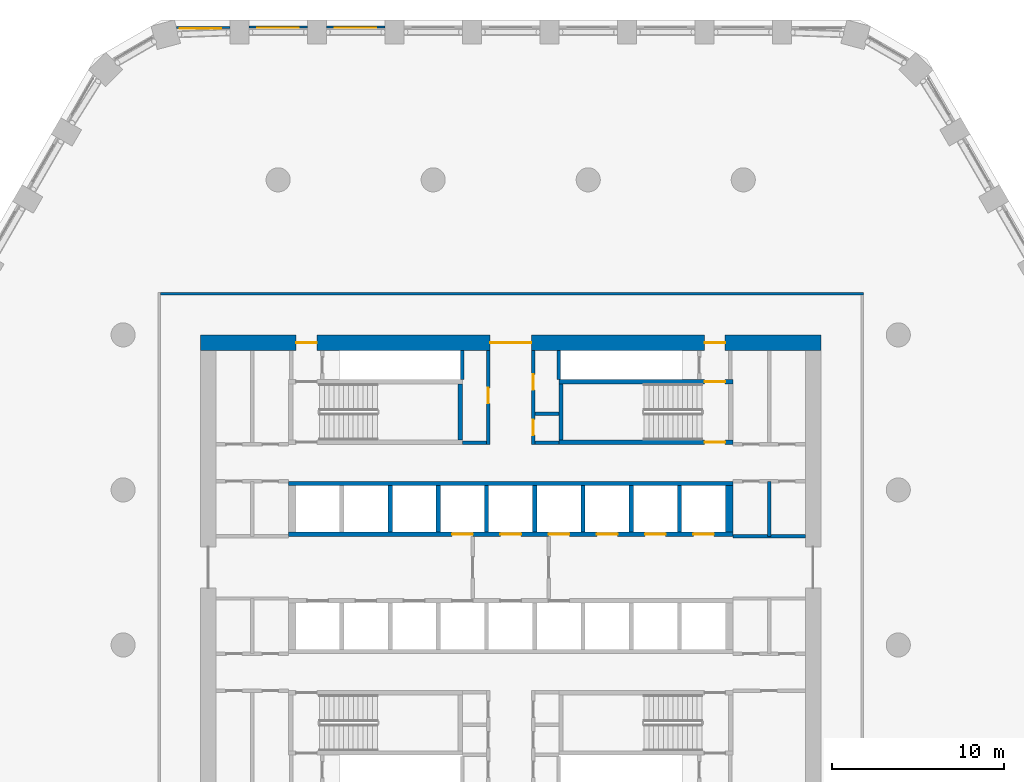
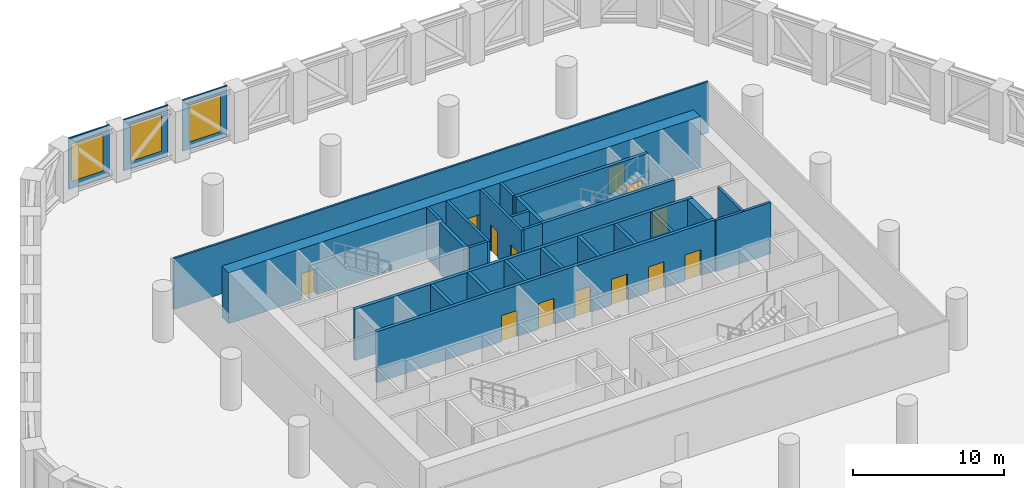
# One storey, part 7 of 18: 28 walls, 14 doors, 3 windows, 17 openings.
"""IFC4 building model written with IfcOpenShell, lengths in metres."""

import ifcopenshell
import ifcopenshell.guid

model = None  # the IFC model being written
_history = None  # IfcOwnerHistory: only IFC2X3 demands one
_inside = {}  # id of a spatial element -> (the spatial element, [elements in it])
_under = {}  # id of a project, library or spatial element -> (it, [spatial elements below it])
_declared = {}  # id of a project -> (the project, [libraries it declares])
_typed = {}  # id of a type object -> (the type object, [elements of that type])
_made_of = {}  # id of a material, layer set ... -> (it, [elements and type objects made of it])


def new_model(schema):
    """Start an empty IFC model of exactly this schema.

    Asked for "IFC4X3", IfcOpenShell would pick the latest addendum, in which some entities
    have other attributes; the version numbers below select the first issue.
    IFC2X3 requires an IfcOwnerHistory on every rooted entity: one is made here for all.
    """
    global model, _history
    if schema == "IFC4X3":
        model = ifcopenshell.file(schema_version=(4, 3, 0, 0))
    else:
        model = ifcopenshell.file(schema=schema)
    _inside.clear()
    _under.clear()
    _declared.clear()
    _typed.clear()
    _made_of.clear()
    _history = None
    if model.schema == "IFC2X3":
        org = make("IfcOrganization", Name="unknown")
        user = make(
            "IfcPersonAndOrganization",
            ThePerson=make("IfcPerson", FamilyName="unknown"),
            TheOrganization=org,
        )
        app = make(
            "IfcApplication",
            ApplicationDeveloper=org,
            Version="unknown",
            ApplicationFullName="unknown",
            ApplicationIdentifier="unknown",
        )
        _history = make(
            "IfcOwnerHistory",
            OwningUser=user,
            OwningApplication=app,
            ChangeAction="ADDED",
            CreationDate=0,
        )
    return model


def make(cls, **values):
    """One entity of the class cls with the attributes given. An attribute that is None is left unset."""
    return model.create_entity(
        cls, **{name: value for name, value in values.items() if value is not None}
    )


def rooted(cls, **values):
    """An entity with a GlobalId (a new one), such as an element, a storey or a relation."""
    return make(cls, GlobalId=ifcopenshell.guid.new(), OwnerHistory=_history, **values)


def si_unit(unit_type, name, prefix=None):
    """IfcSIUnit, for example si_unit("LENGTHUNIT", "METRE", prefix="MILLI")."""
    return make("IfcSIUnit", UnitType=unit_type, Prefix=prefix, Name=name)


def assignment(units):
    """IfcUnitAssignment: the units of a project."""
    return None if units is None else make("IfcUnitAssignment", Units=units)


def point(xyz):
    """IfcCartesianPoint."""
    return None if xyz is None else make("IfcCartesianPoint", Coordinates=xyz)


def direction(xyz):
    """IfcDirection."""
    return None if xyz is None else make("IfcDirection", DirectionRatios=xyz)


def frame(location, z_axis=None, x_axis=None):
    """IfcAxis2Placement3D, a coordinate frame: its origin and axes. An axis left out is left unset."""
    return make(
        "IfcAxis2Placement3D",
        Location=point(location),
        Axis=direction(z_axis),
        RefDirection=direction(x_axis),
    )


def frame_2d(location, x_axis=None):
    """IfcAxis2Placement2D, a coordinate frame in the plane: its origin and x axis."""
    return make(
        "IfcAxis2Placement2D", Location=point(location), RefDirection=direction(x_axis)
    )


def origin():
    """The frame at (0, 0, 0) with its axes left unset."""
    return frame((0.0, 0.0, 0.0))


def place(relative_to, where):
    """IfcLocalPlacement: puts the frame where relative to a parent placement (None: the world)."""
    return make(
        "IfcLocalPlacement", PlacementRelTo=relative_to, RelativePlacement=where
    )


def context(
    kind, dimensions, precision=None, world=None, true_north=None, identifier=None
):
    """IfcGeometricRepresentationContext, for example the 3D "Model" context."""
    return make(
        "IfcGeometricRepresentationContext",
        ContextIdentifier=identifier,
        ContextType=kind,
        CoordinateSpaceDimension=dimensions,
        Precision=precision,
        WorldCoordinateSystem=world,
        TrueNorth=true_north,
    )


def subcontext(parent, identifier, kind, view, scale=None):
    """IfcGeometricRepresentationSubContext, for example "Body" below "Model"."""
    return make(
        "IfcGeometricRepresentationSubContext",
        ContextIdentifier=identifier,
        ContextType=kind,
        ParentContext=parent,
        TargetScale=scale,
        TargetView=view,
    )


def project(units=None, contexts=None):
    """IfcProject with its units and contexts."""
    return rooted(
        "IfcProject",
        Name="project",
        RepresentationContexts=contexts,
        UnitsInContext=assignment(units),
    )


def spatial(cls, under=None, at=None, **own):
    """A site, building, storey or space (cls), placed at a placement, below another one or the project."""
    s = rooted(cls, ObjectPlacement=at, **own)
    if under is not None:
        _under.setdefault(under.id(), (under, []))[1].append(s)
    return s


def polyline(points):
    """IfcPolyline through the points."""
    return make("IfcPolyline", Points=[point(p) for p in points])


def profile(cls, at=None, kind="AREA", **sizes):
    """A parametric profile (cls). Its sizes go by their IFC names, for example OverallWidth=200.0."""
    return make(cls, ProfileType=kind, Position=at, **sizes)


def rectangle(**sizes):
    """IfcRectangleProfileDef."""
    return profile("IfcRectangleProfileDef", **sizes)


def outline(outer, holes=None, kind="AREA"):
    """IfcArbitraryClosedProfileDef: a profile drawn as a closed curve; with holes, ...WithVoids."""
    if holes is None:
        return make("IfcArbitraryClosedProfileDef", ProfileType=kind, OuterCurve=outer)
    return make(
        "IfcArbitraryProfileDefWithVoids",
        ProfileType=kind,
        OuterCurve=outer,
        InnerCurves=holes,
    )


def extrude(swept, where, along, depth):
    """IfcExtrudedAreaSolid: the profile swept, set in the frame where, extruded along a direction by depth."""
    return make(
        "IfcExtrudedAreaSolid",
        SweptArea=swept,
        Position=where,
        ExtrudedDirection=direction(along),
        Depth=depth,
    )


def shape(context_of_items, identifier, shape_type, items):
    """IfcShapeRepresentation: the items that make up one representation, for example the "Body"."""
    return make(
        "IfcShapeRepresentation",
        ContextOfItems=context_of_items,
        RepresentationIdentifier=identifier,
        RepresentationType=shape_type,
        Items=items,
    )


def material(Name=None, Category=None):
    """IfcMaterial."""
    return make("IfcMaterial", Name=Name, Category=Category)


def layer(
    of_material, thickness, ventilated=None, Name=None, Category=None, Priority=None
):
    """IfcMaterialLayer: one layer of a wall or slab, of a material (None: an air gap)."""
    return make(
        "IfcMaterialLayer",
        Material=of_material,
        LayerThickness=thickness,
        IsVentilated=ventilated,
        Name=Name,
        Category=Category,
        Priority=Priority,
    )


def layer_set(layers, Name=None):
    """IfcMaterialLayerSet."""
    return make("IfcMaterialLayerSet", MaterialLayers=layers, LayerSetName=Name)


def made_of(thing, what):
    """Note that an element or type object is made of a material, layer set ...; save() writes the relation."""
    if what is not None:
        _made_of.setdefault(what.id(), (what, []))[1].append(thing)
    return thing


def type_object(cls, material=None, **own):
    """A type object (cls), such as IfcWallType, which elements share."""
    return made_of(rooted(cls, **own), material)


def element(
    cls,
    number,
    at=None,
    inside=None,
    cuts=None,
    type_object=None,
    material=None,
    context=None,
    identifier="Body",
    shape_type=None,
    held_by="IfcProductDefinitionShape",
    body=None,
    shapes=None,
    **own,
):
    """One element of the class cls, such as IfcWall. Its Tag is "e" and its number.

    at: its placement. inside: the storey or other place that contains it. cuts: it is an
    opening in that element (IfcRelVoidsElement). A single representation is given by context,
    identifier, shape_type and body (its items); several are given by shapes. held_by: the class
    of the entity that holds the representations. save() writes the other relations.
    """
    e = rooted(cls, Tag="e%d" % number, ObjectPlacement=at, **own)
    if body is not None:
        shapes = [shape(context, identifier, shape_type, body)]
    if shapes is not None:
        e.Representation = make(held_by, Representations=shapes)
    if inside is not None:
        _inside.setdefault(inside.id(), (inside, []))[1].append(e)
    if cuts is not None:
        rooted(
            "IfcRelVoidsElement", RelatingBuildingElement=cuts, RelatedOpeningElement=e
        )
    if type_object is not None:
        _typed.setdefault(type_object.id(), (type_object, []))[1].append(e)
    return made_of(e, material)


def fill(opening, filler):
    """IfcRelFillsElement: the door or window that sits in an opening."""
    return rooted(
        "IfcRelFillsElement",
        RelatingOpeningElement=opening,
        RelatedBuildingElement=filler,
    )


def aggregate(whole, parts):
    """IfcRelAggregates: a whole, such as a stair, and the parts it consists of."""
    return rooted("IfcRelAggregates", RelatingObject=whole, RelatedObjects=parts)


def save(model, path):
    """Write the relations noted so far, then the file.

    IfcRelAggregates (storeys below a building ...), IfcRelContainedInSpatialStructure (elements
    in a storey), IfcRelDefinesByType, IfcRelAssociatesMaterial and IfcRelDeclares: one each for
    every whole, place, type object, material and project.
    """
    for whole, parts in _under.values():
        aggregate(whole, parts)
    for where, things in _inside.values():
        rooted(
            "IfcRelContainedInSpatialStructure",
            RelatedElements=things,
            RelatingStructure=where,
        )
    for kind, things in _typed.values():
        rooted("IfcRelDefinesByType", RelatedObjects=things, RelatingType=kind)
    for what, things in _made_of.values():
        rooted("IfcRelAssociatesMaterial", RelatedObjects=things, RelatingMaterial=what)
    for by, libraries in _declared.values():
        rooted("IfcRelDeclares", RelatingContext=by, RelatedDefinitions=libraries)
    model.write(path)


model = new_model("IFC4")

# Units and contexts
model_context = context("Model", 3, precision=1e-05, world=origin(), true_north=direction((0.0, 1.0)))
body_context = subcontext(model_context, "Body", "Model", "MODEL_VIEW")
ifc_project = project(units=[si_unit("LENGTHUNIT", "METRE"), si_unit("AREAUNIT", "SQUARE_METRE"), si_unit("VOLUMEUNIT", "CUBIC_METRE"), si_unit("PLANEANGLEUNIT", "RADIAN"), si_unit("MASSUNIT", "GRAM", prefix="KILO")], contexts=[model_context])

# Site, building, storey
site_placement = place(None, origin())
site = spatial("IfcSite", under=ifc_project, at=site_placement, CompositionType="ELEMENT")
building_placement = place(site_placement, origin())
building = spatial("IfcBuilding", under=site, at=building_placement, Name="Dhurran Vertical Campus", CompositionType="ELEMENT")
storey_placement = place(building_placement, frame((0.0, 0.0, 76.800048828125)))
storey = spatial("IfcBuildingStorey", under=building, at=storey_placement, Name="L18 Plant", CompositionType="ELEMENT", Elevation=76.800048828125)

# Wall, opening, window
ifc_material_1 = material(Name="Precast concrete C50/60", Category="concrete")
ifc_layer_1 = layer(ifc_material_1, 0.1201171875)
ifc_layer_set_1 = layer_set([ifc_layer_1], Name="Precast concrete C50/60")
wall_type_1 = type_object("IfcWallType", Name="Precast louvre-bay panel 120", PredefinedType="SOLIDWALL", material=ifc_layer_set_1)
wall_1_placement = place(storey_placement, frame((-7.300537109375, 31.37890625, 0.0), z_axis=(0.0, 0.0, 1.0), x_axis=(-1.0, 0.0, 0.0)))
wall_1 = element("IfcWall", 1, at=wall_1_placement, inside=storey, type_object=wall_type_1, Name="EW4 L18.32", PredefinedType="SOLIDWALL", context=body_context, shape_type="SweptSolid", body=[
    extrude(rectangle(XDim=3.39892578125, YDim=0.1201171875, at=frame_2d((1.699462890625, 0.0))), origin(), (0.0, 0.0, 1.0), 4.125),
])
opening_1_placement = place(wall_1_placement, frame((0.49951171875, 0.0, 0.60009765625)))
opening_1 = element("IfcOpeningElement", 2, at=opening_1_placement, cuts=wall_1, Name="Opening WT4", PredefinedType="OPENING", context=body_context, shape_type="SweptSolid", body=[
    extrude(rectangle(XDim=2.39990234375, YDim=3.0, at=frame_2d((1.199951171875, 1.5))), frame((0.0, 0.070068359375, 0.0), z_axis=(0.0, -1.0, 0.0), x_axis=(1.0, 0.0, 0.0)), (0.0, 0.0, 1.0), 0.14013671875),
])
ifc_material_2 = material(Name="Aluminium louvre", Category="aluminium")
window_type = type_object("IfcWindowType", Name="Louvred plant vent 2400 x 3000", PartitioningType="SINGLE_PANEL", PredefinedType="WINDOW", material=ifc_material_2)
window_1_placement = place(opening_1_placement, origin())
window_1 = element("IfcWindow", 3, at=window_1_placement, inside=storey, type_object=window_type, Name="WT4 L18.32", OverallHeight=3.0, OverallWidth=2.39990234375, PartitioningType="SINGLE_PANEL", PredefinedType="WINDOW", context=body_context, shape_type="SweptSolid", body=[
    extrude(rectangle(XDim=2.39990234375, YDim=3.0, at=frame_2d((1.199951171875, 1.5))), frame((0.0, 0.06005859375, 0.0), z_axis=(0.0, -1.0, 0.0), x_axis=(1.0, 0.0, 0.0)), (0.0, 0.0, 1.0), 0.02001953125),
])
fill(opening_1, window_1)

wall_2_placement = place(storey_placement, frame((-11.800537109375, 31.37890625, 0.0), z_axis=(0.0, 0.0, 1.0), x_axis=(-1.0, 0.0, 0.0)))
wall_2 = element("IfcWall", 4, at=wall_2_placement, inside=storey, type_object=wall_type_1, Name="EW4 L18.33", PredefinedType="SOLIDWALL", context=body_context, shape_type="SweptSolid", body=[
    extrude(rectangle(XDim=3.39892578125, YDim=0.1201171875, at=frame_2d((1.699462890625, 0.0))), origin(), (0.0, 0.0, 1.0), 4.125),
])
opening_2_placement = place(wall_2_placement, frame((0.49951171875, 0.0, 0.60009765625)))
opening_2 = element("IfcOpeningElement", 5, at=opening_2_placement, cuts=wall_2, Name="Opening WT4", PredefinedType="OPENING", context=body_context, shape_type="SweptSolid", body=[
    extrude(rectangle(XDim=2.39990234375, YDim=3.0, at=frame_2d((1.199951171875, 1.5))), frame((0.0, 0.070068359375, 0.0), z_axis=(0.0, -1.0, 0.0), x_axis=(1.0, 0.0, 0.0)), (0.0, 0.0, 1.0), 0.14013671875),
])
window_2_placement = place(opening_2_placement, origin())
window_2 = element("IfcWindow", 6, at=window_2_placement, inside=storey, type_object=window_type, Name="WT4 L18.33", OverallHeight=3.0, OverallWidth=2.39990234375, PartitioningType="SINGLE_PANEL", PredefinedType="WINDOW", context=body_context, shape_type="SweptSolid", body=[
    extrude(rectangle(XDim=2.39990234375, YDim=3.0, at=frame_2d((1.199951171875, 1.5))), frame((0.0, 0.06005859375, 0.0), z_axis=(0.0, -1.0, 0.0), x_axis=(1.0, 0.0, 0.0)), (0.0, 0.0, 1.0), 0.02001953125),
])
fill(opening_2, window_2)

wall_3_placement = place(storey_placement, frame((-16.300537109375, 31.34130859375, 0.0), z_axis=(0.0, 0.0, 1.0), x_axis=(-1.0, 0.0, 0.0)))
wall_3 = element("IfcWall", 7, at=wall_3_placement, inside=storey, type_object=wall_type_1, Name="EW4 L18.34", PredefinedType="SOLIDWALL", context=body_context, shape_type="SweptSolid", body=[
    extrude(rectangle(XDim=3.091064453125, YDim=0.1201171875, at=frame_2d((1.54541015625, 0.0))), origin(), (0.0, 0.0, 1.0), 4.125),
])
opening_3_placement = place(wall_3_placement, frame((0.49951171875, 0.0, 0.60009765625)))
opening_3 = element("IfcOpeningElement", 8, at=opening_3_placement, cuts=wall_3, Name="Opening WT4", PredefinedType="OPENING", context=body_context, shape_type="SweptSolid", body=[
    extrude(rectangle(XDim=2.39990234375, YDim=3.0, at=frame_2d((1.199951171875, 1.5))), frame((0.0, 0.070068359375, 0.0), z_axis=(0.0, -1.0, 0.0), x_axis=(1.0, 0.0, 0.0)), (0.0, 0.0, 1.0), 0.14013671875),
])
window_3_placement = place(opening_3_placement, origin())
window_3 = element("IfcWindow", 9, at=window_3_placement, inside=storey, type_object=window_type, Name="WT4 L18.34", OverallHeight=3.0, OverallWidth=2.39990234375, PartitioningType="SINGLE_PANEL", PredefinedType="WINDOW", context=body_context, shape_type="SweptSolid", body=[
    extrude(rectangle(XDim=2.39990234375, YDim=3.0, at=frame_2d((1.199951171875, 1.5))), frame((0.0, 0.06005859375, 0.0), z_axis=(0.0, -1.0, 0.0), x_axis=(1.0, 0.0, 0.0)), (0.0, 0.0, 1.0), 0.02001953125),
])
fill(opening_3, window_3)

# Wall, openings, doors
ifc_material_3 = material(Name="Concrete C60/75", Category="concrete")
ifc_layer_2 = layer(ifc_material_3, 0.89990234375)
ifc_layer_set_2 = layer_set([ifc_layer_2], Name="Concrete C60/75")
wall_type_2 = type_object("IfcWallType", Name="co-CORE-WALL-C0-900", PredefinedType="SHEAR", material=ifc_layer_set_2)
wall_4_placement = place(storey_placement, frame((-18.0, 13.050048828125, 0.0), z_axis=(0.0, 0.0, 1.0), x_axis=(1.0, 0.0, 0.0)))
wall_4 = element("IfcWall", 10, at=wall_4_placement, inside=storey, type_object=wall_type_2, Name="Core wall N L18", PredefinedType="SHEAR", context=body_context, shape_type="SweptSolid", body=[
    extrude(rectangle(XDim=36.0, YDim=0.89990234375, at=frame_2d((18.0, 0.0))), origin(), (0.0, 0.0, 1.0), 4.125),
])
opening_4_placement = place(wall_4_placement, frame((16.800048828125, 0.0, 0.0)))
opening_4 = element("IfcOpeningElement", 11, at=opening_4_placement, cuts=wall_4, Name="Opening CV1", PredefinedType="OPENING", context=body_context, shape_type="SweptSolid", body=[
    extrude(rectangle(XDim=2.39990234375, YDim=2.10009765625, at=frame_2d((1.199951171875, 1.050048828125))), frame((0.0, 0.4599609375, 0.0), z_axis=(0.0, -1.0, 0.0), x_axis=(1.0, 0.0, 0.0)), (0.0, 0.0, 1.0), 0.919921875),
])
opening_5_placement = place(wall_4_placement, frame((5.550048828125, 0.0, 0.0)))
opening_5 = element("IfcOpeningElement", 12, at=opening_5_placement, cuts=wall_4, Name="Opening XD1", PredefinedType="OPENING", context=body_context, shape_type="SweptSolid", body=[
    extrude(rectangle(XDim=1.199951171875, YDim=2.10009765625, at=frame_2d((0.60009765625, 1.050048828125))), frame((0.0, 0.4599609375, 0.0), z_axis=(0.0, -1.0, 0.0), x_axis=(1.0, 0.0, 0.0)), (0.0, 0.0, 1.0), 0.919921875),
])
opening_6_placement = place(wall_4_placement, frame((29.25, 0.0, 0.0)))
opening_6 = element("IfcOpeningElement", 13, at=opening_6_placement, cuts=wall_4, Name="Opening XD2", PredefinedType="OPENING", context=body_context, shape_type="SweptSolid", body=[
    extrude(rectangle(XDim=1.199951171875, YDim=2.10009765625, at=frame_2d((0.60009765625, 1.050048828125))), frame((0.0, 0.4599609375, 0.0), z_axis=(0.0, -1.0, 0.0), x_axis=(1.0, 0.0, 0.0)), (0.0, 0.0, 1.0), 0.919921875),
])
ifc_material_4 = material(Name="Fire-rated glazed door set")
door_type_1 = type_object("IfcDoorType", Name="co-D-LOBBY 2400x2100", OperationType="DOUBLE_DOOR_DOUBLE_SWING", PredefinedType="DOOR", material=ifc_material_4)
door_1_placement = place(opening_4_placement, origin())
door_1 = element("IfcDoor", 14, at=door_1_placement, inside=storey, type_object=door_type_1, Name="Core vestibule door N L18", OperationType="DOUBLE_DOOR_DOUBLE_SWING", OverallHeight=2.10009765625, OverallWidth=2.39990234375, PredefinedType="DOOR", context=body_context, shape_type="SweptSolid", body=[
    extrude(rectangle(XDim=2.39990234375, YDim=2.10009765625, at=frame_2d((1.199951171875, 1.050048828125))), frame((0.0, 0.02490234375, 0.0), z_axis=(0.0, -1.0, 0.0), x_axis=(1.0, 0.0, 0.0)), (0.0, 0.0, 1.0), 0.050048828125),
])
fill(opening_4, door_1)
ifc_material_5 = material(Name="Fire-rated steel door set", Category="steel")
door_type_2 = type_object("IfcDoorType", Name="co-D-STAIR-EXIT 1200x2100", OperationType="SINGLE_SWING_RIGHT", PredefinedType="DOOR", material=ifc_material_5)
door_2_placement = place(opening_5_placement, origin())
door_2 = element("IfcDoor", 15, at=door_2_placement, inside=storey, type_object=door_type_2, Name="Stair ST1 exit door L18", OperationType="SINGLE_SWING_RIGHT", OverallHeight=2.10009765625, OverallWidth=1.199951171875, PredefinedType="DOOR", context=body_context, shape_type="SweptSolid", body=[
    extrude(rectangle(XDim=1.199951171875, YDim=2.10009765625, at=frame_2d((0.60009765625, 1.050048828125))), frame((0.0, 0.02490234375, 0.0), z_axis=(0.0, -1.0, 0.0), x_axis=(1.0, 0.0, 0.0)), (0.0, 0.0, 1.0), 0.050048828125),
])
fill(opening_5, door_2)
door_3_placement = place(opening_6_placement, origin())
door_3 = element("IfcDoor", 16, at=door_3_placement, inside=storey, type_object=door_type_2, Name="Stair ST2 exit door L18", OperationType="SINGLE_SWING_RIGHT", OverallHeight=2.10009765625, OverallWidth=1.199951171875, PredefinedType="DOOR", context=body_context, shape_type="SweptSolid", body=[
    extrude(rectangle(XDim=1.199951171875, YDim=2.10009765625, at=frame_2d((0.60009765625, 1.050048828125))), frame((0.0, 0.02490234375, 0.0), z_axis=(0.0, -1.0, 0.0), x_axis=(1.0, 0.0, 0.0)), (0.0, 0.0, 1.0), 0.050048828125),
])
fill(opening_6, door_3)

# Walls
ifc_material_6 = material(Name="Fire-rated masonry blockwork", Category="masonry")
ifc_layer_3 = layer(ifc_material_6, 0.199951171875)
ifc_layer_set_3 = layer_set([ifc_layer_3], Name="Fire-rated masonry blockwork")
wall_type_3 = type_object("IfcWallType", Name="co-FIRE-PARTITION-200", PredefinedType="PARTITIONING", material=ifc_layer_set_3)
for number, where, z_axis, x_axis, name in (
    (17, (-2.800048828125, 7.25, 0.0), (0.0, 0.0, 1.0), (1.0, 0.0, 0.0), "Core partition sl-NW-S L18"),
    (18, (1.39990234375, 7.25, 0.0), (0.0, 0.0, 1.0), (1.0, 0.0, 0.0), "Core partition sl-NE-S L18"),
    (19, (1.39990234375, 8.925048828125, 0.0), (0.0, 0.0, 1.0), (1.0, 0.0, 0.0), "Core partition sl-NE-cut0 L18"),
):
    element("IfcWall", number, at=place(storey_placement, frame(where, z_axis=z_axis, x_axis=x_axis)), inside=storey, type_object=wall_type_3, Name=name, PredefinedType="PARTITIONING", context=body_context, shape_type="SweptSolid", body=[
        extrude(rectangle(XDim=1.400146484375, YDim=0.199951171875, at=frame_2d((0.7001953125, 0.0))), origin(), (0.0, 0.0, 1.0), 4.125),
    ])

# Wall, opening, door
wall_5_placement = place(storey_placement, frame((-1.300048828125, 7.14990234375, 0.0), z_axis=(0.0, 0.0, 1.0), x_axis=(0.0, 1.0, 0.0)))
wall_5 = element("IfcWall", 20, at=wall_5_placement, inside=storey, type_object=wall_type_3, Name="Core partition vest-NW L18", PredefinedType="PARTITIONING", context=body_context, shape_type="SweptSolid", body=[
    extrude(rectangle(XDim=5.4501953125, YDim=0.199951171875, at=frame_2d((2.72509765625, 0.0))), origin(), (0.0, 0.0, 1.0), 4.125),
])
opening_7_placement = place(wall_5_placement, frame((2.375, 0.0, 0.0)))
opening_7 = element("IfcOpeningElement", 21, at=opening_7_placement, cuts=wall_5, Name="Opening BR18-C7", PredefinedType="OPENING", context=body_context, shape_type="SweptSolid", body=[
    extrude(rectangle(XDim=0.89990234375, YDim=2.10009765625, at=frame_2d((0.449951171875, 1.050048828125))), frame((0.0, 0.10986328125, 0.0), z_axis=(0.0, -1.0, 0.0), x_axis=(1.0, 0.0, 0.0)), (0.0, 0.0, 1.0), 0.219970703125),
])
ifc_material_7 = material(Name="Fire-rated timber door set", Category="wood")
door_type_3 = type_object("IfcDoorType", Name="co-D-ROOM 900x2100", OperationType="SINGLE_SWING_LEFT", PredefinedType="DOOR", material=ifc_material_7)
door_4_placement = place(opening_7_placement, origin())
door_4 = element("IfcDoor", 22, at=door_4_placement, inside=storey, type_object=door_type_3, Name="Chiller plant room door L18", OperationType="SINGLE_SWING_LEFT", OverallHeight=2.10009765625, OverallWidth=0.89990234375, PredefinedType="DOOR", context=body_context, shape_type="SweptSolid", body=[
    extrude(rectangle(XDim=0.89990234375, YDim=2.10009765625, at=frame_2d((0.449951171875, 1.050048828125))), frame((0.0, 0.02490234375, 0.0), z_axis=(0.0, -1.0, 0.0), x_axis=(1.0, 0.0, 0.0)), (0.0, 0.0, 1.0), 0.050048828125),
])
fill(opening_7, door_4)

# Wall, openings, doors
wall_6_placement = place(storey_placement, frame((1.300048828125, 7.14990234375, 0.0), z_axis=(0.0, 0.0, 1.0), x_axis=(0.0, 1.0, 0.0)))
wall_6 = element("IfcWall", 23, at=wall_6_placement, inside=storey, type_object=wall_type_3, Name="Core partition vest-NE L18", PredefinedType="PARTITIONING", context=body_context, shape_type="SweptSolid", body=[
    extrude(rectangle(XDim=5.4501953125, YDim=0.199951171875, at=frame_2d((2.72509765625, 0.0))), origin(), (0.0, 0.0, 1.0), 4.125),
])
opening_8_placement = place(wall_6_placement, frame((0.53759765625, 0.0, 0.0)))
opening_8 = element("IfcOpeningElement", 24, at=opening_8_placement, cuts=wall_6, Name="Opening BR18-C8", PredefinedType="OPENING", context=body_context, shape_type="SweptSolid", body=[
    extrude(rectangle(XDim=0.89990234375, YDim=2.10009765625, at=frame_2d((0.449951171875, 1.050048828125))), frame((0.0, 0.10986328125, 0.0), z_axis=(0.0, -1.0, 0.0), x_axis=(1.0, 0.0, 0.0)), (0.0, 0.0, 1.0), 0.219970703125),
])
opening_9_placement = place(wall_6_placement, frame((3.16259765625, 0.0, 0.0)))
opening_9 = element("IfcOpeningElement", 25, at=opening_9_placement, cuts=wall_6, Name="Opening BR18-C9", PredefinedType="OPENING", context=body_context, shape_type="SweptSolid", body=[
    extrude(rectangle(XDim=0.89990234375, YDim=2.10009765625, at=frame_2d((0.449951171875, 1.050048828125))), frame((0.0, 0.10986328125, 0.0), z_axis=(0.0, -1.0, 0.0), x_axis=(1.0, 0.0, 0.0)), (0.0, 0.0, 1.0), 0.219970703125),
])
door_5_placement = place(opening_8_placement, origin())
door_5 = element("IfcDoor", 26, at=door_5_placement, inside=storey, type_object=door_type_3, Name="Generator room door L18", OperationType="SINGLE_SWING_LEFT", OverallHeight=2.10009765625, OverallWidth=0.89990234375, PredefinedType="DOOR", context=body_context, shape_type="SweptSolid", body=[
    extrude(rectangle(XDim=0.89990234375, YDim=2.10009765625, at=frame_2d((0.449951171875, 1.050048828125))), frame((0.0, 0.02490234375, 0.0), z_axis=(0.0, -1.0, 0.0), x_axis=(1.0, 0.0, 0.0)), (0.0, 0.0, 1.0), 0.050048828125),
])
fill(opening_8, door_5)
door_6_placement = place(opening_9_placement, origin())
door_6 = element("IfcDoor", 27, at=door_6_placement, inside=storey, type_object=door_type_3, Name="Electrical plant room door L18", OperationType="SINGLE_SWING_LEFT", OverallHeight=2.10009765625, OverallWidth=0.89990234375, PredefinedType="DOOR", context=body_context, shape_type="SweptSolid", body=[
    extrude(rectangle(XDim=0.89990234375, YDim=2.10009765625, at=frame_2d((0.449951171875, 1.050048828125))), frame((0.0, 0.02490234375, 0.0), z_axis=(0.0, -1.0, 0.0), x_axis=(1.0, 0.0, 0.0)), (0.0, 0.0, 1.0), 0.050048828125),
])
fill(opening_9, door_6)

# Walls
wall_7_placement = place(storey_placement, frame((15.0, 1.800048828125, 0.0), z_axis=(0.0, 0.0, 1.0), x_axis=(0.0, 1.0, 0.0)))
element("IfcWall", 28, at=wall_7_placement, inside=storey, type_object=wall_type_3, Name="Core partition es-NE-cut0 L18", PredefinedType="PARTITIONING", context=body_context, shape_type="SweptSolid", body=[
    extrude(rectangle(XDim=3.199951171875, YDim=0.199951171875, at=frame_2d((1.60009765625, 0.0))), origin(), (0.0, 0.0, 1.0), 4.125),
])
wall_8_placement = place(storey_placement, frame((12.89990234375, 1.800048828125, 0.0), z_axis=(0.0, 0.0, 1.0), x_axis=(1.0, 0.0, 0.0)))
element("IfcWall", 29, at=wall_8_placement, inside=storey, type_object=wall_type_3, Name="Core partition es-NE-l L18", PredefinedType="PARTITIONING", context=body_context, shape_type="SweptSolid", body=[
    extrude(rectangle(XDim=4.2001953125, YDim=0.199951171875, at=frame_2d((2.10009765625, 0.0))), origin(), (0.0, 0.0, 1.0), 4.125),
])
for number, where, z_axis, x_axis, name in (
    (30, (-2.800048828125, 10.90087890625, 0.0), (0.0, 0.0, 1.0), (0.0, 1.0, 0.0), "Riser enclosure wall L18"),
    (31, (2.800048828125, 12.59912109375, 0.0), (0.0, 0.0, 1.0), (0.0, -1.0, 0.0), "Riser enclosure wall L18"),
):
    element("IfcWall", number, at=place(storey_placement, frame(where, z_axis=z_axis, x_axis=x_axis)), inside=storey, type_object=wall_type_3, Name=name, PredefinedType="PARTITIONING", context=body_context, shape_type="SweptSolid", body=[
        extrude(rectangle(XDim=1.6982421875, YDim=0.199951171875, at=frame_2d((0.84912109375, 0.0))), origin(), (0.0, 0.0, 1.0), 4.125),
    ])

# Wall, openings, doors
ifc_material_8 = material(Name="Concrete C50/60", Category="concrete")
ifc_layer_4 = layer(ifc_material_8, 0.25)
ifc_layer_set_4 = layer_set([ifc_layer_4], Name="Concrete C50/60")
wall_type_4 = type_object("IfcWallType", Name="co-SHAFT-FRONT-250", PredefinedType="SHEAR", material=ifc_layer_set_4)
wall_9_placement = place(storey_placement, frame((-12.89990234375, 1.925048828125, 0.0), z_axis=(0.0, 0.0, 1.0), x_axis=(1.0, 0.0, 0.0)))
wall_9 = element("IfcWall", 32, at=wall_9_placement, inside=storey, type_object=wall_type_4, Name="Lift landing wall N L18", PredefinedType="SHEAR", context=body_context, shape_type="SweptSolid", body=[
    extrude(rectangle(XDim=25.7998046875, YDim=0.25, at=frame_2d((12.89990234375, 0.0))), origin(), (0.0, 0.0, 1.0), 4.125),
])
opening_10_placement = place(wall_9_placement, frame((9.5, 0.0, 0.0)))
opening_10 = element("IfcOpeningElement", 33, at=opening_10_placement, cuts=wall_9, Name="Opening LD", PredefinedType="OPENING", context=body_context, shape_type="SweptSolid", body=[
    extrude(rectangle(XDim=1.199951171875, YDim=2.10009765625, at=frame_2d((0.60009765625, 1.050048828125))), frame((0.0, 0.135009765625, 0.0), z_axis=(0.0, -1.0, 0.0), x_axis=(1.0, 0.0, 0.0)), (0.0, 0.0, 1.0), 0.27001953125),
])
opening_11_placement = place(wall_9_placement, frame((12.300048828125, 0.0, 0.0)))
opening_11 = element("IfcOpeningElement", 34, at=opening_11_placement, cuts=wall_9, Name="Opening LD", PredefinedType="OPENING", context=body_context, shape_type="SweptSolid", body=[
    extrude(rectangle(XDim=1.199951171875, YDim=2.10009765625, at=frame_2d((0.60009765625, 1.050048828125))), frame((0.0, 0.135009765625, 0.0), z_axis=(0.0, -1.0, 0.0), x_axis=(1.0, 0.0, 0.0)), (0.0, 0.0, 1.0), 0.27001953125),
])
opening_12_placement = place(wall_9_placement, frame((15.10009765625, 0.0, 0.0)))
opening_12 = element("IfcOpeningElement", 35, at=opening_12_placement, cuts=wall_9, Name="Opening LD", PredefinedType="OPENING", context=body_context, shape_type="SweptSolid", body=[
    extrude(rectangle(XDim=1.199951171875, YDim=2.10009765625, at=frame_2d((0.60009765625, 1.050048828125))), frame((0.0, 0.135009765625, 0.0), z_axis=(0.0, -1.0, 0.0), x_axis=(1.0, 0.0, 0.0)), (0.0, 0.0, 1.0), 0.27001953125),
])
opening_13_placement = place(wall_9_placement, frame((17.89990234375, 0.0, 0.0)))
opening_13 = element("IfcOpeningElement", 36, at=opening_13_placement, cuts=wall_9, Name="Opening LD", PredefinedType="OPENING", context=body_context, shape_type="SweptSolid", body=[
    extrude(rectangle(XDim=1.199951171875, YDim=2.10009765625, at=frame_2d((0.60009765625, 1.050048828125))), frame((0.0, 0.135009765625, 0.0), z_axis=(0.0, -1.0, 0.0), x_axis=(1.0, 0.0, 0.0)), (0.0, 0.0, 1.0), 0.27001953125),
])
opening_14_placement = place(wall_9_placement, frame((20.699951171875, 0.0, 0.0)))
opening_14 = element("IfcOpeningElement", 37, at=opening_14_placement, cuts=wall_9, Name="Opening LD", PredefinedType="OPENING", context=body_context, shape_type="SweptSolid", body=[
    extrude(rectangle(XDim=1.199951171875, YDim=2.10009765625, at=frame_2d((0.60009765625, 1.050048828125))), frame((0.0, 0.135009765625, 0.0), z_axis=(0.0, -1.0, 0.0), x_axis=(1.0, 0.0, 0.0)), (0.0, 0.0, 1.0), 0.27001953125),
])
opening_15_placement = place(wall_9_placement, frame((23.5, 0.0, 0.0)))
opening_15 = element("IfcOpeningElement", 38, at=opening_15_placement, cuts=wall_9, Name="Opening LD", PredefinedType="OPENING", context=body_context, shape_type="SweptSolid", body=[
    extrude(rectangle(XDim=1.199951171875, YDim=2.10009765625, at=frame_2d((0.60009765625, 1.050048828125))), frame((0.0, 0.135009765625, 0.0), z_axis=(0.0, -1.0, 0.0), x_axis=(1.0, 0.0, 0.0)), (0.0, 0.0, 1.0), 0.27001953125),
])
ifc_material_9 = material(Name="Stainless steel landing door", Category="steel")
door_type_4 = type_object("IfcDoorType", Name="co-D-LANDING 1200x2100", OperationType="DOUBLE_DOOR_SLIDING", PredefinedType="DOOR", material=ifc_material_9)
door_7_placement = place(opening_10_placement, origin())
door_7 = element("IfcDoor", 39, at=door_7_placement, inside=storey, type_object=door_type_4, Name="Landing door LR1 L18", OperationType="DOUBLE_DOOR_SLIDING", OverallHeight=2.10009765625, OverallWidth=1.199951171875, PredefinedType="DOOR", context=body_context, shape_type="SweptSolid", body=[
    extrude(rectangle(XDim=1.199951171875, YDim=2.10009765625, at=frame_2d((0.60009765625, 1.050048828125))), frame((0.0, 0.02490234375, 0.0), z_axis=(0.0, -1.0, 0.0), x_axis=(1.0, 0.0, 0.0)), (0.0, 0.0, 1.0), 0.050048828125),
])
fill(opening_10, door_7)
door_8_placement = place(opening_11_placement, origin())
door_8 = element("IfcDoor", 40, at=door_8_placement, inside=storey, type_object=door_type_4, Name="Landing door FF1 L18", OperationType="DOUBLE_DOOR_SLIDING", OverallHeight=2.10009765625, OverallWidth=1.199951171875, PredefinedType="DOOR", context=body_context, shape_type="SweptSolid", body=[
    extrude(rectangle(XDim=1.199951171875, YDim=2.10009765625, at=frame_2d((0.60009765625, 1.050048828125))), frame((0.0, 0.02490234375, 0.0), z_axis=(0.0, -1.0, 0.0), x_axis=(1.0, 0.0, 0.0)), (0.0, 0.0, 1.0), 0.050048828125),
])
fill(opening_11, door_8)
door_9_placement = place(opening_12_placement, origin())
door_9 = element("IfcDoor", 41, at=door_9_placement, inside=storey, type_object=door_type_4, Name="Landing door LR2 L18", OperationType="DOUBLE_DOOR_SLIDING", OverallHeight=2.10009765625, OverallWidth=1.199951171875, PredefinedType="DOOR", context=body_context, shape_type="SweptSolid", body=[
    extrude(rectangle(XDim=1.199951171875, YDim=2.10009765625, at=frame_2d((0.60009765625, 1.050048828125))), frame((0.0, 0.02490234375, 0.0), z_axis=(0.0, -1.0, 0.0), x_axis=(1.0, 0.0, 0.0)), (0.0, 0.0, 1.0), 0.050048828125),
])
fill(opening_12, door_9)
door_10_placement = place(opening_13_placement, origin())
door_10 = element("IfcDoor", 42, at=door_10_placement, inside=storey, type_object=door_type_4, Name="Landing door LR3 L18", OperationType="DOUBLE_DOOR_SLIDING", OverallHeight=2.10009765625, OverallWidth=1.199951171875, PredefinedType="DOOR", context=body_context, shape_type="SweptSolid", body=[
    extrude(rectangle(XDim=1.199951171875, YDim=2.10009765625, at=frame_2d((0.60009765625, 1.050048828125))), frame((0.0, 0.02490234375, 0.0), z_axis=(0.0, -1.0, 0.0), x_axis=(1.0, 0.0, 0.0)), (0.0, 0.0, 1.0), 0.050048828125),
])
fill(opening_13, door_10)
door_11_placement = place(opening_14_placement, origin())
door_11 = element("IfcDoor", 43, at=door_11_placement, inside=storey, type_object=door_type_4, Name="Landing door LR4 L18", OperationType="DOUBLE_DOOR_SLIDING", OverallHeight=2.10009765625, OverallWidth=1.199951171875, PredefinedType="DOOR", context=body_context, shape_type="SweptSolid", body=[
    extrude(rectangle(XDim=1.199951171875, YDim=2.10009765625, at=frame_2d((0.60009765625, 1.050048828125))), frame((0.0, 0.02490234375, 0.0), z_axis=(0.0, -1.0, 0.0), x_axis=(1.0, 0.0, 0.0)), (0.0, 0.0, 1.0), 0.050048828125),
])
fill(opening_14, door_11)
door_12_placement = place(opening_15_placement, origin())
door_12 = element("IfcDoor", 44, at=door_12_placement, inside=storey, type_object=door_type_4, Name="Landing door SV2 L18", OperationType="DOUBLE_DOOR_SLIDING", OverallHeight=2.10009765625, OverallWidth=1.199951171875, PredefinedType="DOOR", context=body_context, shape_type="SweptSolid", body=[
    extrude(rectangle(XDim=1.199951171875, YDim=2.10009765625, at=frame_2d((0.60009765625, 1.050048828125))), frame((0.0, 0.02490234375, 0.0), z_axis=(0.0, -1.0, 0.0), x_axis=(1.0, 0.0, 0.0)), (0.0, 0.0, 1.0), 0.050048828125),
])
fill(opening_15, door_12)

# Walls
ifc_material_10 = material(Name="Concrete C50/60", Category="concrete")
ifc_layer_5 = layer(ifc_material_10, 0.25)
ifc_layer_set_5 = layer_set([ifc_layer_5], Name="Concrete C50/60")
wall_type_5 = type_object("IfcWallType", Name="co-SHAFT-MASS-250", PredefinedType="SHEAR", material=ifc_layer_set_5)
wall_10_placement = place(storey_placement, origin())
element("IfcWall", 45, at=wall_10_placement, inside=storey, type_object=wall_type_5, Name="Lift shaft wall N L18 1", PredefinedType="SHEAR", context=body_context, shape_type="SweptSolid", body=[
    extrude(outline(polyline([(-12.89990234375, 4.75), (12.89990234375, 4.75), (12.89990234375, 5.0), (-12.89990234375, 5.0), (-12.89990234375, 4.75)])), origin(), (0.0, 0.0, 1.0), 4.125),
])
wall_11_placement = place(storey_placement, origin())
element("IfcWall", 46, at=wall_11_placement, inside=storey, type_object=wall_type_5, Name="Lift shaft wall N L18 4", PredefinedType="SHEAR", context=body_context, shape_type="SweptSolid", body=[
    extrude(outline(polyline([(-7.125, 2.050048828125), (-6.875, 2.050048828125), (-6.875, 4.75), (-7.125, 4.75), (-7.125, 2.050048828125)])), origin(), (0.0, 0.0, 1.0), 4.125),
])
wall_12_placement = place(storey_placement, origin())
element("IfcWall", 47, at=wall_12_placement, inside=storey, type_object=wall_type_5, Name="Lift shaft wall N L18 5", PredefinedType="SHEAR", context=body_context, shape_type="SweptSolid", body=[
    extrude(outline(polyline([(-4.324951171875, 2.050048828125), (-4.074951171875, 2.050048828125), (-4.074951171875, 4.75), (-4.324951171875, 4.75), (-4.324951171875, 2.050048828125)])), origin(), (0.0, 0.0, 1.0), 4.125),
])
wall_13_placement = place(storey_placement, origin())
element("IfcWall", 48, at=wall_13_placement, inside=storey, type_object=wall_type_5, Name="Lift shaft wall N L18 6", PredefinedType="SHEAR", context=body_context, shape_type="SweptSolid", body=[
    extrude(outline(polyline([(-1.52490234375, 2.050048828125), (-1.27490234375, 2.050048828125), (-1.27490234375, 4.75), (-1.52490234375, 4.75), (-1.52490234375, 2.050048828125)])), origin(), (0.0, 0.0, 1.0), 4.125),
])
wall_14_placement = place(storey_placement, origin())
element("IfcWall", 49, at=wall_14_placement, inside=storey, type_object=wall_type_5, Name="Lift shaft wall N L18 7", PredefinedType="SHEAR", context=body_context, shape_type="SweptSolid", body=[
    extrude(outline(polyline([(1.27490234375, 2.050048828125), (1.52490234375, 2.050048828125), (1.52490234375, 4.75), (1.27490234375, 4.75), (1.27490234375, 2.050048828125)])), origin(), (0.0, 0.0, 1.0), 4.125),
])
wall_15_placement = place(storey_placement, origin())
element("IfcWall", 50, at=wall_15_placement, inside=storey, type_object=wall_type_5, Name="Lift shaft wall N L18 8", PredefinedType="SHEAR", context=body_context, shape_type="SweptSolid", body=[
    extrude(outline(polyline([(4.074951171875, 2.050048828125), (4.324951171875, 2.050048828125), (4.324951171875, 4.75), (4.074951171875, 4.75), (4.074951171875, 2.050048828125)])), origin(), (0.0, 0.0, 1.0), 4.125),
])
wall_16_placement = place(storey_placement, origin())
element("IfcWall", 51, at=wall_16_placement, inside=storey, type_object=wall_type_5, Name="Lift shaft wall N L18 9", PredefinedType="SHEAR", context=body_context, shape_type="SweptSolid", body=[
    extrude(outline(polyline([(6.875, 2.050048828125), (7.125, 2.050048828125), (7.125, 4.75), (6.875, 4.75), (6.875, 2.050048828125)])), origin(), (0.0, 0.0, 1.0), 4.125),
])
wall_17_placement = place(storey_placement, origin())
element("IfcWall", 52, at=wall_17_placement, inside=storey, type_object=wall_type_5, Name="Lift shaft wall N L18 10", PredefinedType="SHEAR", context=body_context, shape_type="SweptSolid", body=[
    extrude(outline(polyline([(9.675048828125, 2.050048828125), (9.925048828125, 2.050048828125), (9.925048828125, 4.75), (9.675048828125, 4.75), (9.675048828125, 2.050048828125)])), origin(), (0.0, 0.0, 1.0), 4.125),
])
wall_18_placement = place(storey_placement, origin())
element("IfcWall", 53, at=wall_18_placement, inside=storey, type_object=wall_type_5, Name="Lift shaft wall N L18 11", PredefinedType="SHEAR", context=body_context, shape_type="SweptSolid", body=[
    extrude(outline(polyline([(12.47509765625, 2.050048828125), (12.89990234375, 2.050048828125), (12.89990234375, 4.75), (12.47509765625, 4.75), (12.47509765625, 2.050048828125)])), origin(), (0.0, 0.0, 1.0), 4.125),
])
ifc_material_11 = material(Name="Concrete C40/50", Category="concrete")
ifc_layer_6 = layer(ifc_material_11, 0.25)
ifc_layer_set_6 = layer_set([ifc_layer_6], Name="Concrete C40/50")
wall_type_6 = type_object("IfcWallType", Name="co-STAIR-WALL-250", PredefinedType="SHEAR", material=ifc_layer_set_6)
wall_19_placement = place(storey_placement, frame((-2.925048828125, 7.39990234375, 0.0), z_axis=(0.0, 0.0, 1.0), x_axis=(0.0, 1.0, 0.0)))
element("IfcWall", 54, at=wall_19_placement, inside=storey, type_object=wall_type_6, Name="Stair ST1 enclosure wall L18", PredefinedType="SHEAR", context=body_context, shape_type="SweptSolid", body=[
    extrude(rectangle(XDim=3.25, YDim=0.25, at=frame_2d((1.625, 0.0))), origin(), (0.0, 0.0, 1.0), 4.125),
])

# Wall, opening, door
wall_20_placement = place(storey_placement, frame((2.800048828125, 7.27490234375, 0.0), z_axis=(0.0, 0.0, 1.0), x_axis=(1.0, 0.0, 0.0)))
wall_20 = element("IfcWall", 55, at=wall_20_placement, inside=storey, type_object=wall_type_6, Name="Stair ST2 enclosure wall L18", PredefinedType="SHEAR", context=body_context, shape_type="SweptSolid", body=[
    extrude(rectangle(XDim=10.099853515625, YDim=0.25, at=frame_2d((5.0498046875, 0.0))), origin(), (0.0, 0.0, 1.0), 4.125),
])
opening_16_placement = place(wall_20_placement, frame((8.449951171875, 0.0, 0.0)))
opening_16 = element("IfcOpeningElement", 56, at=opening_16_placement, cuts=wall_20, Name="Opening SD2", PredefinedType="OPENING", context=body_context, shape_type="SweptSolid", body=[
    extrude(rectangle(XDim=1.199951171875, YDim=2.10009765625, at=frame_2d((0.60009765625, 1.050048828125))), frame((0.0, 0.135009765625, 0.0), z_axis=(0.0, -1.0, 0.0), x_axis=(1.0, 0.0, 0.0)), (0.0, 0.0, 1.0), 0.27001953125),
])
ifc_material_12 = material(Name="Fire-rated steel door set", Category="steel")
door_type_5 = type_object("IfcDoorType", Name="co-D-STAIR 1200x2100", OperationType="SINGLE_SWING_LEFT", PredefinedType="DOOR", material=ifc_material_12)
door_13_placement = place(opening_16_placement, origin())
door_13 = element("IfcDoor", 57, at=door_13_placement, inside=storey, type_object=door_type_5, Name="Stair ST2 door L18", OperationType="SINGLE_SWING_LEFT", OverallHeight=2.10009765625, OverallWidth=1.199951171875, PredefinedType="DOOR", context=body_context, shape_type="SweptSolid", body=[
    extrude(rectangle(XDim=1.199951171875, YDim=2.10009765625, at=frame_2d((0.60009765625, 1.050048828125))), frame((0.0, 0.02490234375, 0.0), z_axis=(0.0, -1.0, 0.0), x_axis=(1.0, 0.0, 0.0)), (0.0, 0.0, 1.0), 0.050048828125),
])
fill(opening_16, door_13)

wall_21_placement = place(storey_placement, frame((2.800048828125, 10.77490234375, 0.0), z_axis=(0.0, 0.0, 1.0), x_axis=(1.0, 0.0, 0.0)))
wall_21 = element("IfcWall", 58, at=wall_21_placement, inside=storey, type_object=wall_type_6, Name="Stair ST2 enclosure wall L18", PredefinedType="SHEAR", context=body_context, shape_type="SweptSolid", body=[
    extrude(rectangle(XDim=10.099853515625, YDim=0.25, at=frame_2d((5.0498046875, 0.0))), origin(), (0.0, 0.0, 1.0), 4.125),
])
opening_17_placement = place(wall_21_placement, frame((8.449951171875, 0.0, 0.0)))
opening_17 = element("IfcOpeningElement", 59, at=opening_17_placement, cuts=wall_21, Name="Opening XS2", PredefinedType="OPENING", context=body_context, shape_type="SweptSolid", body=[
    extrude(rectangle(XDim=1.199951171875, YDim=2.10009765625, at=frame_2d((0.60009765625, 1.050048828125))), frame((0.0, 0.135009765625, 0.0), z_axis=(0.0, -1.0, 0.0), x_axis=(1.0, 0.0, 0.0)), (0.0, 0.0, 1.0), 0.27001953125),
])
door_14_placement = place(opening_17_placement, origin())
door_14 = element("IfcDoor", 60, at=door_14_placement, inside=storey, type_object=door_type_2, Name="Stair ST2 discharge door L18", OperationType="SINGLE_SWING_RIGHT", OverallHeight=2.10009765625, OverallWidth=1.199951171875, PredefinedType="DOOR", context=body_context, shape_type="SweptSolid", body=[
    extrude(rectangle(XDim=1.199951171875, YDim=2.10009765625, at=frame_2d((0.60009765625, 1.050048828125))), frame((0.0, 0.02490234375, 0.0), z_axis=(0.0, -1.0, 0.0), x_axis=(1.0, 0.0, 0.0)), (0.0, 0.0, 1.0), 0.050048828125),
])
fill(opening_17, door_14)

# Walls
wall_22_placement = place(storey_placement, frame((2.925048828125, 7.39990234375, 0.0), z_axis=(0.0, 0.0, 1.0), x_axis=(0.0, 1.0, 0.0)))
element("IfcWall", 61, at=wall_22_placement, inside=storey, type_object=wall_type_6, Name="Stair ST2 enclosure wall L18", PredefinedType="SHEAR", context=body_context, shape_type="SweptSolid", body=[
    extrude(rectangle(XDim=3.25, YDim=0.25, at=frame_2d((1.625, 0.0))), origin(), (0.0, 0.0, 1.0), 4.125),
])
ifc_material_13 = material(Name="Gypsum board corridor wall on steel studs", Category="steel")
ifc_layer_7 = layer(ifc_material_13, 0.14990234375)
ifc_layer_set_7 = layer_set([ifc_layer_7], Name="Gypsum board corridor wall on steel studs")
wall_type_7 = type_object("IfcWallType", Name="fl-CW-150 corridor wall", PredefinedType="PARTITIONING", material=ifc_layer_set_7)
wall_23_placement = place(storey_placement, frame((20.47509765625, 15.89990234375, 0.0), z_axis=(0.0, 0.0, 1.0), x_axis=(-1.0, 0.0, 0.0)))
element("IfcWall", 62, at=wall_23_placement, inside=storey, type_object=wall_type_7, Name="Partition 18-03", PredefinedType="PARTITIONING", context=body_context, shape_type="SweptSolid", body=[
    extrude(rectangle(XDim=40.800048828125, YDim=0.14990234375, at=frame_2d((20.39990234375, 0.0))), origin(), (0.0, 0.0, 1.0), 4.125),
])

save(model, "model.ifc")
